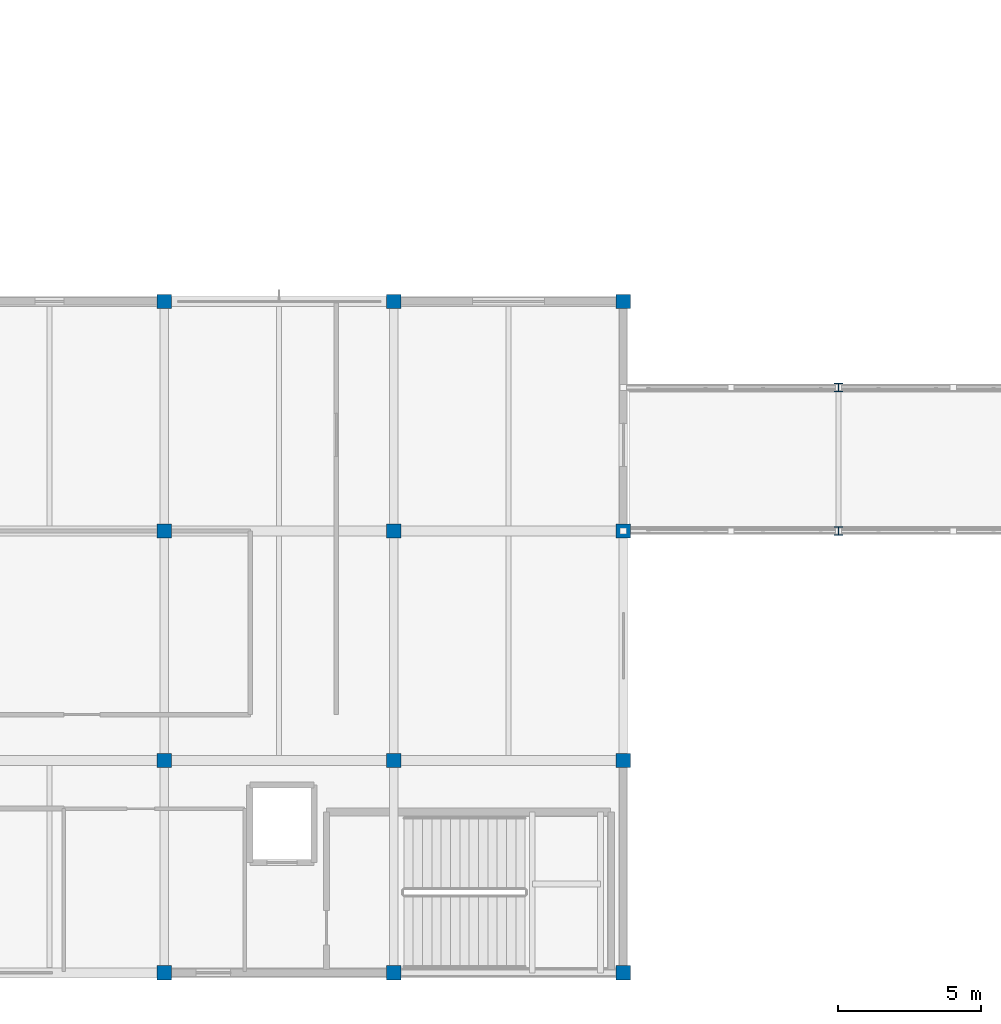
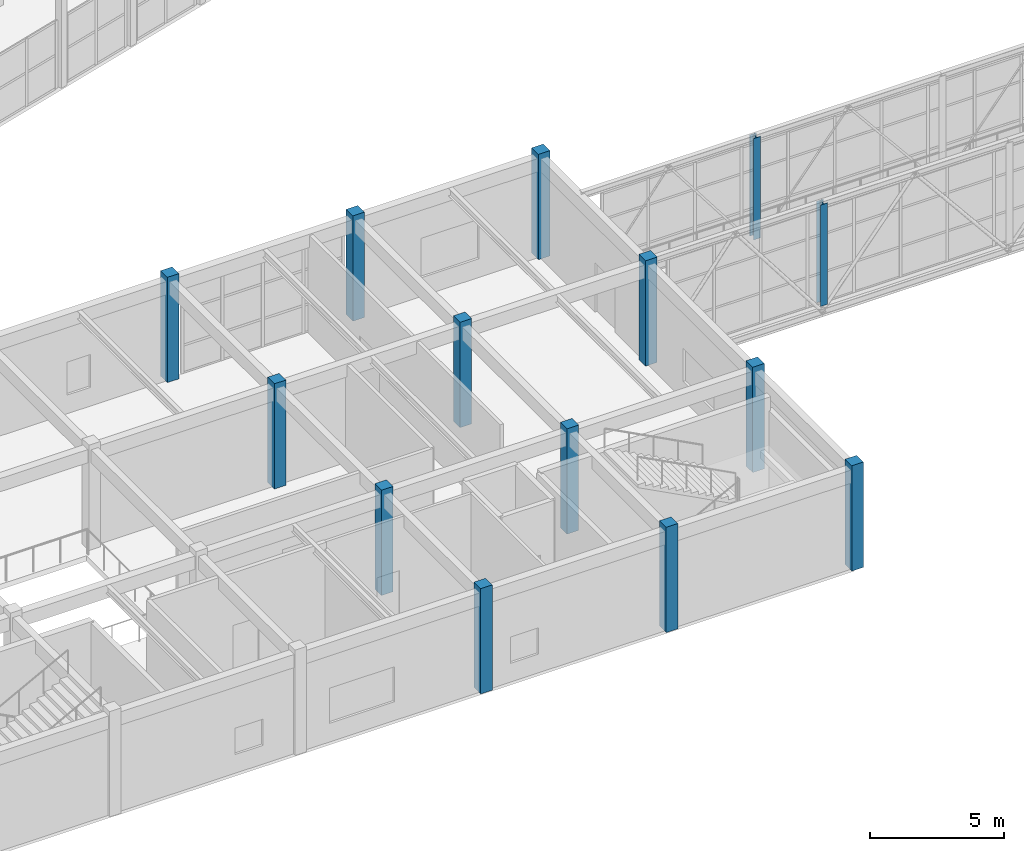
# One storey, part 2 of 248: 14 columns.
"""IFC4 building model written with IfcOpenShell, lengths in metres."""

from ifc_helpers import new_model, si_unit, direction, frame, origin, origin_2d, place, context, subcontext, project, spatial, rectangle, i_section, extrude, material, material_profile, profile_set, type_object, element, save


model = new_model("IFC4")

# Units and contexts
model_context = context("Model", 3, precision=1e-05, world=origin(), true_north=direction((0.0, 1.0)))
body_context = subcontext(model_context, "Body", "Model", "MODEL_VIEW")
ifc_project = project(units=[si_unit("LENGTHUNIT", "METRE"), si_unit("AREAUNIT", "SQUARE_METRE"), si_unit("VOLUMEUNIT", "CUBIC_METRE"), si_unit("PLANEANGLEUNIT", "RADIAN"), si_unit("MASSUNIT", "GRAM", prefix="KILO")], contexts=[model_context])

# Site, building, storey
site_placement = place(None, origin())
site = spatial("IfcSite", under=ifc_project, at=site_placement, CompositionType="ELEMENT")
building_placement = place(site_placement, origin())
building = spatial("IfcBuilding", under=site, at=building_placement, Name="Canggui Botanical Conservatory", CompositionType="ELEMENT")
storey_placement = place(building_placement, frame((0.0, 0.0, 5.39990234375)))
storey = spatial("IfcBuildingStorey", under=building, at=storey_placement, Name="L02", CompositionType="ELEMENT", Elevation=5.39990234375)

# Columns
ifc_material_1 = material(Name="Steel Q355B", Category="steel")
ifc_material_profile_1 = material_profile(ifc_material_1, i_section(OverallWidth=0.300048828125, OverallDepth=0.300048828125, WebThickness=0.010009765625, FlangeThickness=0.014892578125, FilletRadius=0.01806640625, at=origin_2d()), Name="HW 300x300x10x15")
ifc_profile_set_1 = profile_set([ifc_material_profile_1], Name="Steel Q355B")
column_type_1 = type_object("IfcColumnType", Name="COL-GZ05", PredefinedType="COLUMN", material=ifc_profile_set_1)
for number, where, z_axis, x_axis, name in (
    (1, (73.5, 26.0, 0.0), (0.0, 0.0, 1.0), (1.0, 0.0, 0.0), "Skybridge Gallery Steel Column (73.5,26)"),
    (2, (73.5, 31.0, 0.0), (0.0, 0.0, 1.0), (1.0, 0.0, 0.0), "Skybridge Gallery Steel Column (73.5,31)"),
):
    element("IfcColumn", number, at=place(storey_placement, frame(where, z_axis=z_axis, x_axis=x_axis)), inside=storey, type_object=column_type_1, Name=name, PredefinedType="COLUMN", context=body_context, shape_type="SweptSolid", body=[
        extrude(i_section(OverallWidth=0.300048828125, OverallDepth=0.300048828125, WebThickness=0.010009765625, FlangeThickness=0.014892578125, FilletRadius=0.01806640625, at=origin_2d()), origin(), (0.0, 0.0, 1.0), 4.6201171875),
    ])
ifc_material_2 = material(Name="Concrete C35", Category="concrete")
ifc_material_profile_2 = material_profile(ifc_material_2, rectangle(XDim=0.5, YDim=0.5, at=origin_2d()), Name="RC 500x500")
ifc_profile_set_2 = profile_set([ifc_material_profile_2], Name="Concrete C35")
column_type_2 = type_object("IfcColumnType", Name="COL-KZ13", PredefinedType="COLUMN", material=ifc_profile_set_2)
for number, where, z_axis, x_axis, name in (
    (3, (50.0, 10.60009765625, 0.0), (0.0, 0.0, 1.0), (1.0, 0.0, 0.0), "Visitor Centre Column L02 (50,10)"),
    (4, (50.0, 18.0, 0.0), (0.0, 0.0, 1.0), (1.0, 0.0, 0.0), "Visitor Centre Column L02 (50,18)"),
    (5, (50.0, 26.0, 0.0), (0.0, 0.0, 1.0), (1.0, 0.0, 0.0), "Visitor Centre Column L02 (50,26)"),
    (6, (50.0, 34.0, 0.0), (0.0, 0.0, 1.0), (1.0, 0.0, 0.0), "Visitor Centre Column L02 (50,34)"),
    (7, (58.0, 10.60009765625, 0.0), (0.0, 0.0, 1.0), (1.0, 0.0, 0.0), "Visitor Centre Column L02 (58,10)"),
    (8, (58.0, 18.0, 0.0), (0.0, 0.0, 1.0), (1.0, 0.0, 0.0), "Visitor Centre Column L02 (58,18)"),
    (9, (58.0, 26.0, 0.0), (0.0, 0.0, 1.0), (1.0, 0.0, 0.0), "Visitor Centre Column L02 (58,26)"),
    (10, (58.0, 34.0, 0.0), (0.0, 0.0, 1.0), (1.0, 0.0, 0.0), "Visitor Centre Column L02 (58,34)"),
    (11, (66.0, 10.60009765625, 0.0), (0.0, 0.0, 1.0), (1.0, 0.0, 0.0), "Visitor Centre Column L02 (66,10)"),
    (12, (66.0, 18.0, 0.0), (0.0, 0.0, 1.0), (1.0, 0.0, 0.0), "Visitor Centre Column L02 (66,18)"),
    (13, (66.0, 26.0, 0.0), (0.0, 0.0, 1.0), (1.0, 0.0, 0.0), "Visitor Centre Column L02 (66,26)"),
    (14, (66.0, 34.0, 0.0), (0.0, 0.0, 1.0), (1.0, 0.0, 0.0), "Visitor Centre Column L02 (66,34)"),
):
    element("IfcColumn", number, at=place(storey_placement, frame(where, z_axis=z_axis, x_axis=x_axis)), inside=storey, type_object=column_type_2, Name=name, PredefinedType="COLUMN", context=body_context, shape_type="SweptSolid", body=[
        extrude(rectangle(XDim=0.5, YDim=0.5, at=origin_2d()), origin(), (0.0, 0.0, 1.0), 4.800048828125),
    ])

save(model, "model.ifc")
